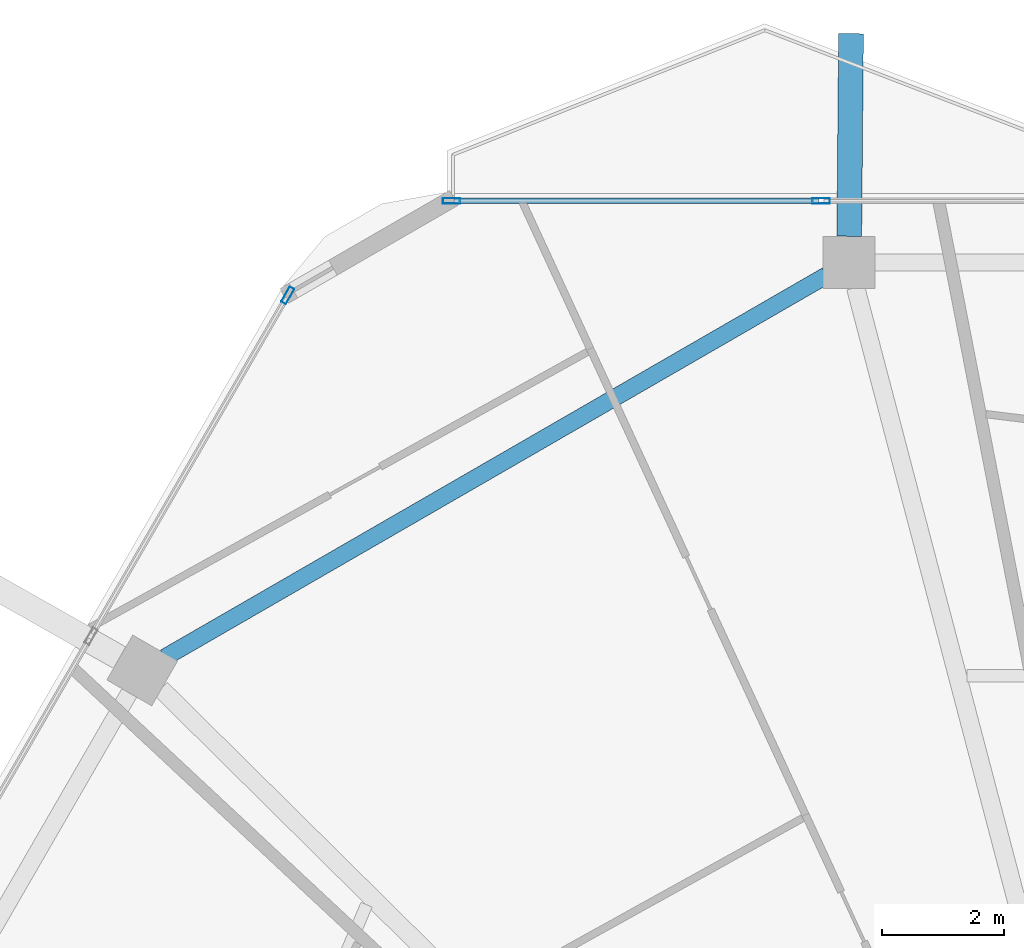
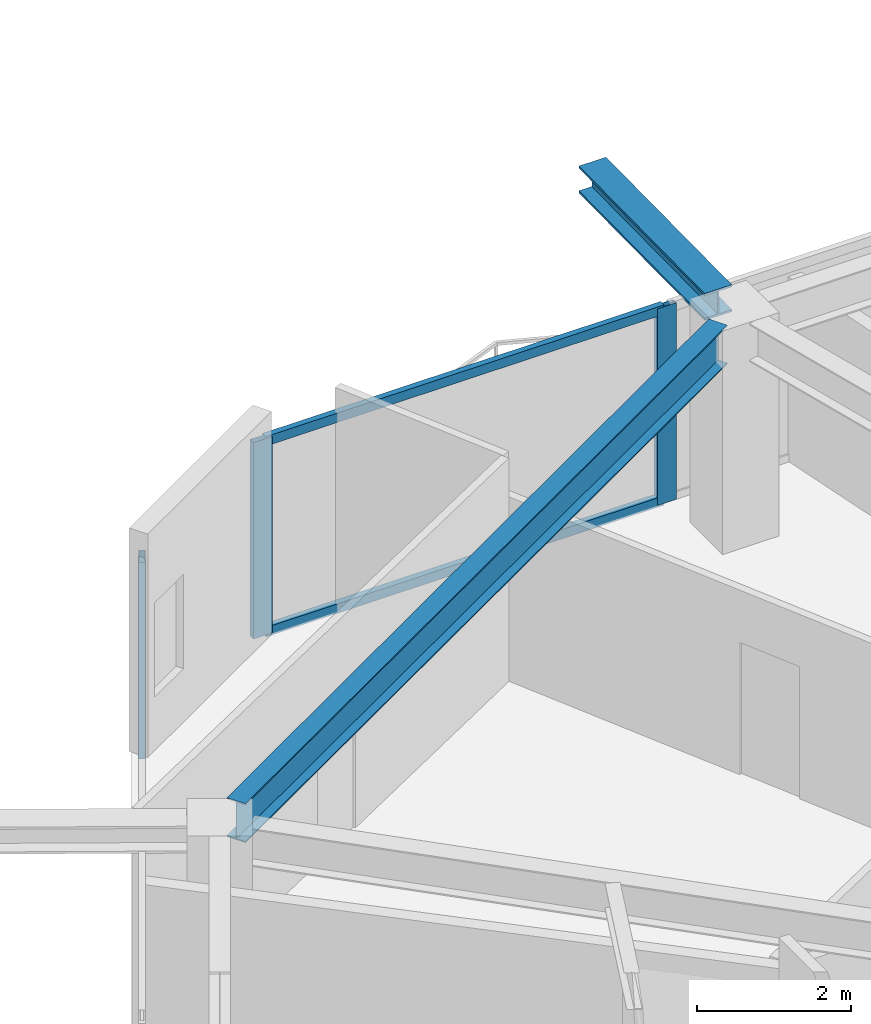
# One storey, part 13 of 27: 5 members, 2 beams, 2 elements without a shape of their own.
"""IFC4 building model written with IfcOpenShell, lengths in metres."""

from ifc_helpers import new_model, si_unit, direction, frame, origin, origin_2d, place, context, subcontext, project, spatial, hollow_rectangle, i_section, extrude, material, material_profile, profile_set, type_object, element, aggregate, save


model = new_model("IFC4")

# Units and contexts
model_context = context("Model", 3, precision=1e-05, world=origin(), true_north=direction((0.0, 1.0)))
body_context = subcontext(model_context, "Body", "Model", "MODEL_VIEW")
ifc_project = project(units=[si_unit("LENGTHUNIT", "METRE"), si_unit("AREAUNIT", "SQUARE_METRE"), si_unit("VOLUMEUNIT", "CUBIC_METRE"), si_unit("PLANEANGLEUNIT", "RADIAN"), si_unit("MASSUNIT", "GRAM", prefix="KILO")], contexts=[model_context])

# Site, building, storey
site_placement = place(None, origin())
site = spatial("IfcSite", under=ifc_project, at=site_placement, CompositionType="ELEMENT")
building_placement = place(site_placement, origin())
building = spatial("IfcBuilding", under=site, at=building_placement, Name="Zuhravey Tower", CompositionType="ELEMENT")
storey_placement = place(building_placement, frame((0.0, 0.0, 265.39990234375)))
storey = spatial("IfcBuildingStorey", under=building, at=storey_placement, Name="L67", CompositionType="ELEMENT", Elevation=265.39990234375)

# Curtain wall, member
ifc_material_1 = material(Name="Thermally broken anodised aluminium", Category="aluminium")
curtain_wall_type = type_object("IfcCurtainWallType", Name="Zone 3-4 High-Rise Curtain Wall CW4", PredefinedType="NOTDEFINED", material=ifc_material_1)
curtain_wall_1_placement = place(storey_placement, origin())
curtain_wall_1 = element("IfcCurtainWall", 1, at=curtain_wall_1_placement, inside=storey, type_object=curtain_wall_type, Name="L67 CW4 CW-L67-F3-1", PredefinedType="NOTDEFINED")
ifc_material_2 = material(Name="Anodised aluminium", Category="aluminium")
ifc_material_profile_1 = material_profile(ifc_material_2, hollow_rectangle(XDim=0.090087890625, YDim=0.284912109375, WallThickness=0.0048828125, at=origin_2d()), Name="ALU-RHS-90x285x5")
ifc_profile_set_1 = profile_set([ifc_material_profile_1], Name="Anodised aluminium")
member_type_1 = type_object("IfcMemberType", Name="Curtain-Wall Mullion 90x180", PredefinedType="MULLION", material=ifc_profile_set_1)
member_1_placement = place(storey_placement, frame((20.34521484375, 56.01220703125, 0.0), z_axis=(0.0, 0.0, 1.0), x_axis=(-0.866024851021, 0.500000957414, 0.0)))
member_1 = element("IfcMember", 2, at=member_1_placement, type_object=member_type_1, Name="CW4 mullion 5", PredefinedType="MULLION", context=body_context, shape_type="SweptSolid", body=[
    extrude(hollow_rectangle(XDim=0.090087890625, YDim=0.284912109375, WallThickness=0.0048828125, at=origin_2d()), origin(), (0.0, 0.0, 1.0), 3.1220703125),
])
aggregate(curtain_wall_1, [member_1])

# Curtain wall, members
curtain_wall_2_placement = place(storey_placement, origin())
curtain_wall_2 = element("IfcCurtainWall", 3, at=curtain_wall_2_placement, inside=storey, type_object=curtain_wall_type, Name="L67 CW4 CW-L67-F2-1", PredefinedType="NOTDEFINED")
member_2_placement = place(storey_placement, frame((23.0322265625, 57.563720703125, 0.0), z_axis=(0.0, 0.0, 1.0), x_axis=(0.0, 1.0, 0.0)))
member_2 = element("IfcMember", 4, at=member_2_placement, type_object=member_type_1, Name="CW4 mullion 1", PredefinedType="MULLION", context=body_context, shape_type="SweptSolid", body=[
    extrude(hollow_rectangle(XDim=0.090087890625, YDim=0.284912109375, WallThickness=0.0048828125, at=origin_2d()), origin(), (0.0, 0.0, 1.0), 3.1220703125),
])
member_3_placement = place(storey_placement, frame((29.101806640625, 57.563720703125, 0.0), z_axis=(0.0, 0.0, 1.0), x_axis=(0.0, 1.0, 0.0)))
member_3 = element("IfcMember", 5, at=member_3_placement, type_object=member_type_1, Name="CW4 mullion 2", PredefinedType="MULLION", context=body_context, shape_type="SweptSolid", body=[
    extrude(hollow_rectangle(XDim=0.090087890625, YDim=0.284912109375, WallThickness=0.0048828125, at=origin_2d()), origin(), (0.0, 0.0, 1.0), 3.1220703125),
])
ifc_material_profile_2 = material_profile(ifc_material_2, hollow_rectangle(XDim=0.090087890625, YDim=0.14990234375, WallThickness=0.0048828125, at=origin_2d()), Name="ALU-RHS-90x150x5")
ifc_profile_set_2 = profile_set([ifc_material_profile_2], Name="Anodised aluminium")
member_type_2 = type_object("IfcMemberType", Name="Curtain-Wall Transom 90x150", PredefinedType="USERDEFINED", material=ifc_profile_set_2)
member_4_placement = place(storey_placement, frame((23.077392578125, 57.563720703125, 0.045166015625), z_axis=(1.0, 0.0, 0.0), x_axis=(0.0, 1.0, 0.0)))
member_4 = element("IfcMember", 6, at=member_4_placement, type_object=member_type_2, Name="CW4 transom 1.1", ObjectType="TRANSOM", PredefinedType="USERDEFINED", context=body_context, shape_type="SweptSolid", body=[
    extrude(hollow_rectangle(XDim=0.090087890625, YDim=0.14990234375, WallThickness=0.0048828125, at=origin_2d()), origin(), (0.0, 0.0, 1.0), 5.9794921875),
])
member_5_placement = place(storey_placement, frame((23.077392578125, 57.563720703125, 3.0771484375), z_axis=(1.0, 0.0, 0.0), x_axis=(0.0, 1.0, 0.0)))
member_5 = element("IfcMember", 7, at=member_5_placement, type_object=member_type_2, Name="CW4 transom 1.2", ObjectType="TRANSOM", PredefinedType="USERDEFINED", context=body_context, shape_type="SweptSolid", body=[
    extrude(hollow_rectangle(XDim=0.090087890625, YDim=0.14990234375, WallThickness=0.0048828125, at=origin_2d()), origin(), (0.0, 0.0, 1.0), 5.9794921875),
])
aggregate(curtain_wall_2, [member_2, member_3, member_4, member_5])

# Beams
ifc_material_3 = material(Name="Steel SM460", Category="steel")
ifc_material_profile_3 = material_profile(ifc_material_3, i_section(OverallWidth=0.406982421875, OverallDepth=0.427978515625, WebThickness=0.02001953125, FlangeThickness=0.034912109375, at=origin_2d()), Name="H-428x407x20x35")
ifc_profile_set_3 = profile_set([ifc_material_profile_3], Name="Steel SM460")
beam_type_1 = type_object("IfcBeamType", Name="Exoskeleton Node Tie Beam H428x407", PredefinedType="BEAM", material=ifc_profile_set_3)
beam_1_placement = place(storey_placement, frame((29.56298828125, 56.982666015625, 3.336181640625), z_axis=(0.00880829074, 0.999961206255, 0.0), x_axis=(-0.999961206255, 0.00880829074, 0.0)))
element("IfcBeam", 8, at=beam_1_placement, inside=storey, type_object=beam_type_1, Name="L67 Exoskeleton Node Tie NT1-04", PredefinedType="BEAM", context=body_context, shape_type="SweptSolid", body=[
    extrude(i_section(OverallWidth=0.406982421875, OverallDepth=0.427978515625, WebThickness=0.02001953125, FlangeThickness=0.034912109375, at=origin_2d()), origin(), (0.0, 0.0, 1.0), 3.326171875),
])
ifc_material_4 = material(Name="Steel SM355", Category="steel")
ifc_material_profile_4 = material_profile(ifc_material_4, i_section(OverallWidth=0.280029296875, OverallDepth=0.6201171875, WebThickness=0.011962890625, FlangeThickness=0.02001953125, at=origin_2d()), Name="H-620x280x12x20")
ifc_profile_set_4 = profile_set([ifc_material_profile_4], Name="Steel SM355")
beam_type_2 = type_object("IfcBeamType", Name="Perimeter Ring Beam H620x280", PredefinedType="BEAM", material=ifc_profile_set_4)
beam_2_placement = place(storey_placement, frame((29.1884765625, 56.339599609375, 3.239990234375), z_axis=(-0.866018312875, -0.500012281615, 0.0), x_axis=(0.500012281615, -0.866018312875, 0.0)))
element("IfcBeam", 9, at=beam_2_placement, inside=storey, type_object=beam_type_2, Name="L67 PB3 BM-L67-PB-04", PredefinedType="BEAM", context=body_context, shape_type="SweptSolid", body=[
    extrude(i_section(OverallWidth=0.280029296875, OverallDepth=0.6201171875, WebThickness=0.011962890625, FlangeThickness=0.02001953125, at=origin_2d()), origin(), (0.0, 0.0, 1.0), 12.541748046875),
])

save(model, "model.ifc")
